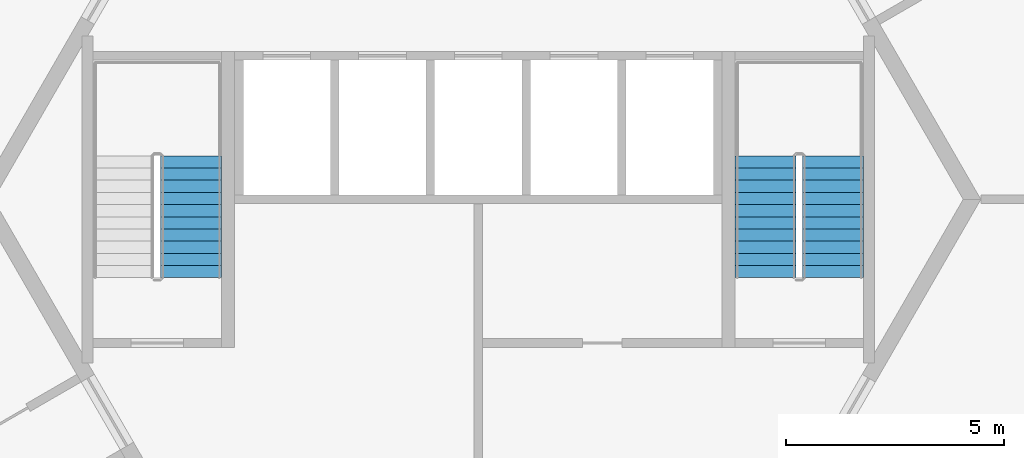
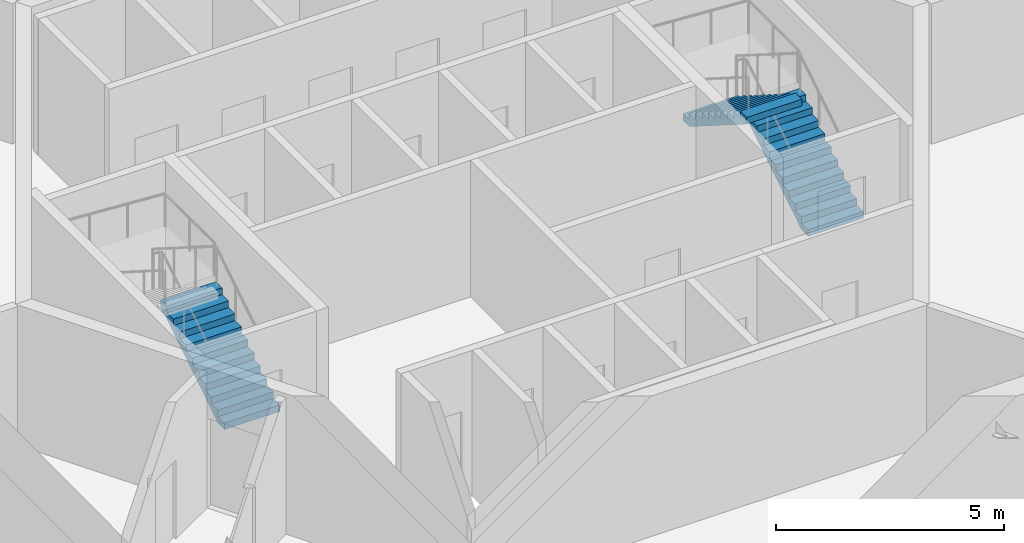
# One storey, part 11 of 12: 3 stair flights, 2 elements without a shape of their own.
"""IFC4 building model written with IfcOpenShell, lengths in metres."""

from ifc_helpers import new_model, si_unit, direction, frame, origin, place, context, subcontext, project, spatial, polyline, outline, extrude, material, type_object, element, aggregate, save


model = new_model("IFC4")

# Units and contexts
model_context = context("Model", 3, precision=1e-05, world=origin(), true_north=direction((0.0, 1.0)))
body_context = subcontext(model_context, "Body", "Model", "MODEL_VIEW")
ifc_project = project(units=[si_unit("LENGTHUNIT", "METRE"), si_unit("AREAUNIT", "SQUARE_METRE"), si_unit("VOLUMEUNIT", "CUBIC_METRE"), si_unit("PLANEANGLEUNIT", "RADIAN"), si_unit("MASSUNIT", "GRAM", prefix="KILO")], contexts=[model_context])

# Site, building, storey
site_placement = place(None, origin())
site = spatial("IfcSite", under=ifc_project, at=site_placement, CompositionType="ELEMENT")
building_placement = place(site_placement, origin())
building = spatial("IfcBuilding", under=site, at=building_placement, Name="Tarnside Tower", CompositionType="ELEMENT")
storey_placement = place(building_placement, frame((0.0, 0.0, 53.10009765625)))
storey = spatial("IfcBuildingStorey", under=building, at=storey_placement, Name="L10", CompositionType="ELEMENT", Elevation=53.10009765625)

# Stair, stair flights
ifc_material = material(Name="Concrete C40/50", Category="concrete")
stair_type = type_object("IfcStairType", Name="Exit stair 1400 clear", PredefinedType="HALF_TURN_STAIR", material=ifc_material)
stair_1_placement = place(storey_placement, origin())
stair_1 = element("IfcStair", 1, at=stair_1_placement, inside=storey, type_object=stair_type, Name="L10 Exit stair 1", PredefinedType="HALF_TURN_STAIR")
stair_flight_type = type_object("IfcStairFlightType", Name="Exit stair flight 1400", PredefinedType="STRAIGHT", material=ifc_material)
stair_flight_1_placement = place(storey_placement, frame((8.14990234375, -1.800048828125, 0.0), z_axis=(0.0, 0.0, 1.0), x_axis=(0.0, 1.0, 0.0)))
stair_flight_1 = element("IfcStairFlight", 2, at=stair_flight_1_placement, type_object=stair_flight_type, Name="ST1 flight 1", NumberOfRisers=11, NumberOfTreads=10, PredefinedType="STRAIGHT", RiserHeight=0.177272727, TreadLength=0.28, context=body_context, shape_type="SweptSolid", body=[
    extrude(outline(polyline([(0.0, 0.0), (0.0, 0.17724609375), (0.280029296875, 0.17724609375), (0.280029296875, 0.3544921875), (0.56005859375, 0.3544921875), (0.56005859375, 0.53173828125), (0.840087890625, 0.53173828125), (0.840087890625, 0.708984375), (1.1201171875, 0.708984375), (1.1201171875, 0.886474609375), (1.39990234375, 0.886474609375), (1.39990234375, 1.063720703125), (1.679931640625, 1.063720703125), (1.679931640625, 1.240966796875), (1.9599609375, 1.240966796875), (1.9599609375, 1.418212890625), (2.239990234375, 1.418212890625), (2.239990234375, 1.595458984375), (2.52001953125, 1.595458984375), (2.52001953125, 1.772705078125), (2.800048828125, 1.772705078125), (2.800048828125, 1.949951171875), (2.800048828125, 1.59521484375), (0.2802734375, 0.0), (0.0, 0.0)])), frame((0.0, 0.699951171875, 0.0), z_axis=(0.0, -1.0, 0.0), x_axis=(1.0, 0.0, 0.0)), (0.0, 0.0, 1.0), 1.39990234375),
])
stair_flight_2_placement = place(storey_placement, frame((6.60009765625, 1.0, 1.949951171875), z_axis=(0.0, 0.0, 1.0), x_axis=(0.0, -1.0, 0.0)))
stair_flight_2 = element("IfcStairFlight", 3, at=stair_flight_2_placement, type_object=stair_flight_type, Name="ST1 flight 2", NumberOfRisers=11, NumberOfTreads=10, PredefinedType="STRAIGHT", RiserHeight=0.177272727, TreadLength=0.28, context=body_context, shape_type="SweptSolid", body=[
    extrude(outline(polyline([(0.0, 0.0), (0.0, 0.17724609375), (0.280029296875, 0.17724609375), (0.280029296875, 0.3544921875), (0.56005859375, 0.3544921875), (0.56005859375, 0.53173828125), (0.840087890625, 0.53173828125), (0.840087890625, 0.708984375), (1.1201171875, 0.708984375), (1.1201171875, 0.886474609375), (1.39990234375, 0.886474609375), (1.39990234375, 1.063720703125), (1.679931640625, 1.063720703125), (1.679931640625, 1.240966796875), (1.9599609375, 1.240966796875), (1.9599609375, 1.418212890625), (2.239990234375, 1.418212890625), (2.239990234375, 1.595458984375), (2.52001953125, 1.595458984375), (2.52001953125, 1.772705078125), (2.800048828125, 1.772705078125), (2.800048828125, 1.949951171875), (2.800048828125, 1.59521484375), (0.2802734375, 0.0), (0.0, 0.0)])), frame((0.0, 0.699951171875, 0.0), z_axis=(0.0, -1.0, 0.0), x_axis=(1.0, 0.0, 0.0)), (0.0, 0.0, 1.0), 1.39990234375),
])
aggregate(stair_1, [stair_flight_1, stair_flight_2])

# Stair, stair flight
stair_2_placement = place(storey_placement, origin())
stair_2 = element("IfcStair", 4, at=stair_2_placement, inside=storey, type_object=stair_type, Name="L10 Exit stair 2", PredefinedType="HALF_TURN_STAIR")
stair_flight_3_placement = place(storey_placement, frame((-6.60009765625, -1.800048828125, 0.0), z_axis=(0.0, 0.0, 1.0), x_axis=(0.0, 1.0, 0.0)))
stair_flight_3 = element("IfcStairFlight", 5, at=stair_flight_3_placement, type_object=stair_flight_type, Name="ST2 flight 1", NumberOfRisers=11, NumberOfTreads=10, PredefinedType="STRAIGHT", RiserHeight=0.177272727, TreadLength=0.28, context=body_context, shape_type="SweptSolid", body=[
    extrude(outline(polyline([(0.0, 0.0), (0.0, 0.17724609375), (0.280029296875, 0.17724609375), (0.280029296875, 0.3544921875), (0.56005859375, 0.3544921875), (0.56005859375, 0.53173828125), (0.840087890625, 0.53173828125), (0.840087890625, 0.708984375), (1.1201171875, 0.708984375), (1.1201171875, 0.886474609375), (1.39990234375, 0.886474609375), (1.39990234375, 1.063720703125), (1.679931640625, 1.063720703125), (1.679931640625, 1.240966796875), (1.9599609375, 1.240966796875), (1.9599609375, 1.418212890625), (2.239990234375, 1.418212890625), (2.239990234375, 1.595458984375), (2.52001953125, 1.595458984375), (2.52001953125, 1.772705078125), (2.800048828125, 1.772705078125), (2.800048828125, 1.949951171875), (2.800048828125, 1.59521484375), (0.2802734375, 0.0), (0.0, 0.0)])), frame((0.0, 0.699951171875, 0.0), z_axis=(0.0, -1.0, 0.0), x_axis=(1.0, 0.0, 0.0)), (0.0, 0.0, 1.0), 1.39990234375),
])
aggregate(stair_2, [stair_flight_3])

save(model, "model.ifc")
